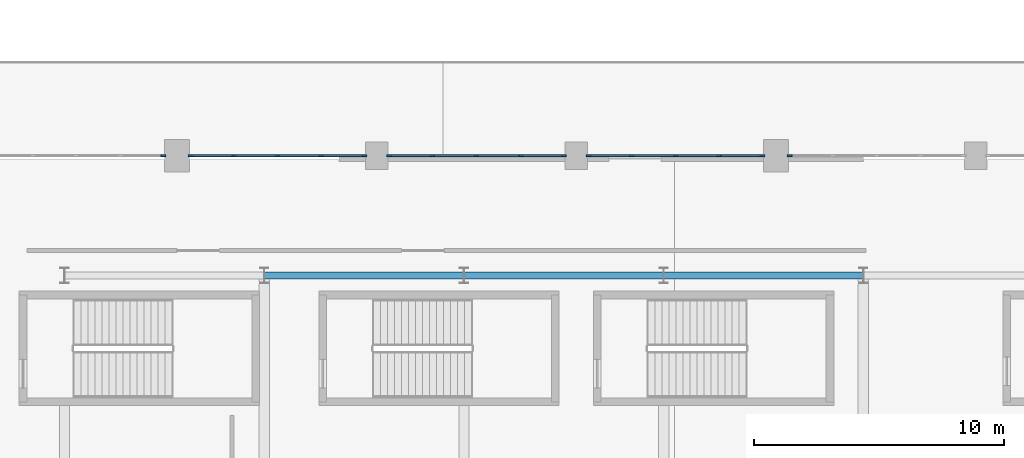
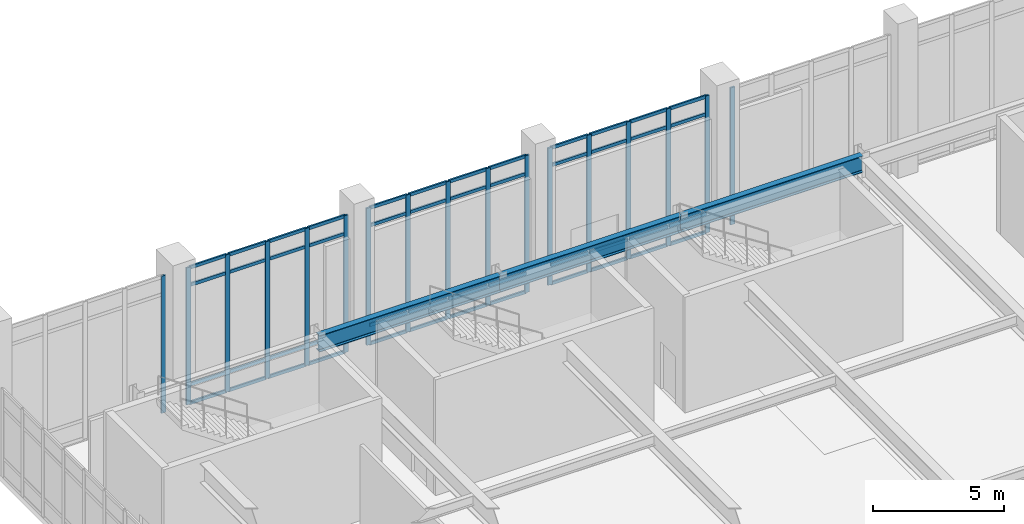
# One storey, part 31 of 84: 65 members, 3 beams, 5 elements without a shape of their own.
"""IFC4 building model written with IfcOpenShell, lengths in metres."""

from ifc_helpers import new_model, si_unit, direction, frame, origin, origin_2d, place, context, subcontext, project, spatial, rectangle, i_section, extrude, material, layer, layer_set, material_profile, profile_set, type_object, element, aggregate, save


model = new_model("IFC4")

# Units and contexts
model_context = context("Model", 3, precision=1e-05, world=origin(), true_north=direction((0.0, 1.0)))
body_context = subcontext(model_context, "Body", "Model", "MODEL_VIEW")
ifc_project = project(units=[si_unit("LENGTHUNIT", "METRE"), si_unit("AREAUNIT", "SQUARE_METRE"), si_unit("VOLUMEUNIT", "CUBIC_METRE"), si_unit("PLANEANGLEUNIT", "RADIAN"), si_unit("MASSUNIT", "GRAM", prefix="KILO")], contexts=[model_context])

# Site, building, storey
site_placement = place(None, origin())
site = spatial("IfcSite", under=ifc_project, at=site_placement, CompositionType="ELEMENT")
building_placement = place(site_placement, origin())
building = spatial("IfcBuilding", under=site, at=building_placement, Name="Tlacozan Convention Centre", CompositionType="ELEMENT")
storey_placement = place(building_placement, frame((0.0, 0.0, 6.0)))
storey = spatial("IfcBuildingStorey", under=building, at=storey_placement, Name="L01", CompositionType="ELEMENT", Elevation=6.0)

# Curtain wall, member
ifc_material_1 = material(Name="Dark Bronze Anodised Aluminium", Category="aluminium")
ifc_layer = layer(ifc_material_1, 0.199951171875)
ifc_layer_set = layer_set([ifc_layer], Name="Dark Bronze Anodised Aluminium")
curtain_wall_type = type_object("IfcCurtainWallType", Name="Exhibition Clerestory Curtain Wall CW10", PredefinedType="NOTDEFINED", material=ifc_layer_set)
curtain_wall_1_placement = place(storey_placement, origin())
curtain_wall_1 = element("IfcCurtainWall", 1, at=curtain_wall_1_placement, inside=storey, type_object=curtain_wall_type, Name="L01 CW-10 Run 20", PredefinedType="NOTDEFINED")
ifc_material_profile_1 = material_profile(ifc_material_1, rectangle(XDim=0.074951171875, YDim=0.199951171875, at=origin_2d()), Name="ALU 75x200")
ifc_profile_set_1 = profile_set([ifc_material_profile_1], Name="Dark Bronze Anodised Aluminium")
member_type_1 = type_object("IfcMemberType", Name="Curtain Wall Heavy Mullion 75x200", PredefinedType="MULLION", material=ifc_profile_set_1)
member_1_placement = place(storey_placement, frame((95.447509765625, 62.0, 0.0), z_axis=(0.0, 0.0, 1.0), x_axis=(0.0, 1.0, 0.0)))
member_1 = element("IfcMember", 2, at=member_1_placement, type_object=member_type_1, Name="CW-10 mullion 5", PredefinedType="MULLION", context=body_context, shape_type="SweptSolid", body=[
    extrude(rectangle(XDim=0.074951171875, YDim=0.199951171875, at=origin_2d()), origin(), (0.0, 0.0, 1.0), 6.39990234375),
])
aggregate(curtain_wall_1, [member_1])

# Curtain wall, members
curtain_wall_2_placement = place(storey_placement, origin())
curtain_wall_2 = element("IfcCurtainWall", 3, at=curtain_wall_2_placement, inside=storey, type_object=curtain_wall_type, Name="L01 CW-10 Run 21", PredefinedType="NOTDEFINED")
member_2_placement = place(storey_placement, frame((96.552490234375, 62.0, 0.0), z_axis=(0.0, 0.0, 1.0), x_axis=(0.0, 1.0, 0.0)))
member_2 = element("IfcMember", 4, at=member_2_placement, type_object=member_type_1, Name="CW-10 mullion 1", PredefinedType="MULLION", context=body_context, shape_type="SweptSolid", body=[
    extrude(rectangle(XDim=0.074951171875, YDim=0.199951171875, at=origin_2d()), origin(), (0.0, 0.0, 1.0), 6.39990234375),
])
member_3_placement = place(storey_placement, frame((98.27001953125, 62.0, 0.0), z_axis=(0.0, 0.0, 1.0), x_axis=(0.0, 1.0, 0.0)))
member_3 = element("IfcMember", 5, at=member_3_placement, type_object=member_type_1, Name="CW-10 mullion 2", PredefinedType="MULLION", context=body_context, shape_type="SweptSolid", body=[
    extrude(rectangle(XDim=0.074951171875, YDim=0.199951171875, at=origin_2d()), origin(), (0.0, 0.0, 1.0), 6.39990234375),
])
member_4_placement = place(storey_placement, frame((100.02490234375, 62.0, 0.0), z_axis=(0.0, 0.0, 1.0), x_axis=(0.0, 1.0, 0.0)))
member_4 = element("IfcMember", 6, at=member_4_placement, type_object=member_type_1, Name="CW-10 mullion 3", PredefinedType="MULLION", context=body_context, shape_type="SweptSolid", body=[
    extrude(rectangle(XDim=0.074951171875, YDim=0.199951171875, at=origin_2d()), origin(), (0.0, 0.0, 1.0), 6.39990234375),
])
member_5_placement = place(storey_placement, frame((101.780029296875, 62.0, 0.0), z_axis=(0.0, 0.0, 1.0), x_axis=(0.0, 1.0, 0.0)))
member_5 = element("IfcMember", 7, at=member_5_placement, type_object=member_type_1, Name="CW-10 mullion 4", PredefinedType="MULLION", context=body_context, shape_type="SweptSolid", body=[
    extrude(rectangle(XDim=0.074951171875, YDim=0.199951171875, at=origin_2d()), origin(), (0.0, 0.0, 1.0), 6.39990234375),
])
member_6_placement = place(storey_placement, frame((103.49755859375, 62.0, 0.0), z_axis=(0.0, 0.0, 1.0), x_axis=(0.0, 1.0, 0.0)))
member_6 = element("IfcMember", 8, at=member_6_placement, type_object=member_type_1, Name="CW-10 mullion 5", PredefinedType="MULLION", context=body_context, shape_type="SweptSolid", body=[
    extrude(rectangle(XDim=0.074951171875, YDim=0.199951171875, at=origin_2d()), origin(), (0.0, 0.0, 1.0), 6.39990234375),
])

curtain_wall_3_placement = place(storey_placement, origin())
curtain_wall_3 = element("IfcCurtainWall", 9, at=curtain_wall_3_placement, inside=storey, type_object=curtain_wall_type, Name="L01 CW-10 Run 22", PredefinedType="NOTDEFINED")
member_7_placement = place(storey_placement, frame((104.50244140625, 62.0, 0.0), z_axis=(0.0, 0.0, 1.0), x_axis=(0.0, 1.0, 0.0)))
member_7 = element("IfcMember", 10, at=member_7_placement, type_object=member_type_1, Name="CW-10 mullion 1", PredefinedType="MULLION", context=body_context, shape_type="SweptSolid", body=[
    extrude(rectangle(XDim=0.074951171875, YDim=0.199951171875, at=origin_2d()), origin(), (0.0, 0.0, 1.0), 6.39990234375),
])
member_8_placement = place(storey_placement, frame((106.232421875, 62.0, 0.0), z_axis=(0.0, 0.0, 1.0), x_axis=(0.0, 1.0, 0.0)))
member_8 = element("IfcMember", 11, at=member_8_placement, type_object=member_type_1, Name="CW-10 mullion 2", PredefinedType="MULLION", context=body_context, shape_type="SweptSolid", body=[
    extrude(rectangle(XDim=0.074951171875, YDim=0.199951171875, at=origin_2d()), origin(), (0.0, 0.0, 1.0), 6.39990234375),
])
member_9_placement = place(storey_placement, frame((108.0, 62.0, 0.0), z_axis=(0.0, 0.0, 1.0), x_axis=(0.0, 1.0, 0.0)))
member_9 = element("IfcMember", 12, at=member_9_placement, type_object=member_type_1, Name="CW-10 mullion 3", PredefinedType="MULLION", context=body_context, shape_type="SweptSolid", body=[
    extrude(rectangle(XDim=0.074951171875, YDim=0.199951171875, at=origin_2d()), origin(), (0.0, 0.0, 1.0), 6.39990234375),
])
member_10_placement = place(storey_placement, frame((109.767578125, 62.0, 0.0), z_axis=(0.0, 0.0, 1.0), x_axis=(0.0, 1.0, 0.0)))
member_10 = element("IfcMember", 13, at=member_10_placement, type_object=member_type_1, Name="CW-10 mullion 4", PredefinedType="MULLION", context=body_context, shape_type="SweptSolid", body=[
    extrude(rectangle(XDim=0.074951171875, YDim=0.199951171875, at=origin_2d()), origin(), (0.0, 0.0, 1.0), 6.39990234375),
])
member_11_placement = place(storey_placement, frame((111.49755859375, 62.0, 0.0), z_axis=(0.0, 0.0, 1.0), x_axis=(0.0, 1.0, 0.0)))
member_11 = element("IfcMember", 14, at=member_11_placement, type_object=member_type_1, Name="CW-10 mullion 5", PredefinedType="MULLION", context=body_context, shape_type="SweptSolid", body=[
    extrude(rectangle(XDim=0.074951171875, YDim=0.199951171875, at=origin_2d()), origin(), (0.0, 0.0, 1.0), 6.39990234375),
])

curtain_wall_4_placement = place(storey_placement, origin())
curtain_wall_4 = element("IfcCurtainWall", 15, at=curtain_wall_4_placement, inside=storey, type_object=curtain_wall_type, Name="L01 CW-10 Run 23", PredefinedType="NOTDEFINED")
member_12_placement = place(storey_placement, frame((112.50244140625, 62.0, 0.0), z_axis=(0.0, 0.0, 1.0), x_axis=(0.0, 1.0, 0.0)))
member_12 = element("IfcMember", 16, at=member_12_placement, type_object=member_type_1, Name="CW-10 mullion 1", PredefinedType="MULLION", context=body_context, shape_type="SweptSolid", body=[
    extrude(rectangle(XDim=0.074951171875, YDim=0.199951171875, at=origin_2d()), origin(), (0.0, 0.0, 1.0), 6.39990234375),
])
member_13_placement = place(storey_placement, frame((114.219970703125, 62.0, 0.0), z_axis=(0.0, 0.0, 1.0), x_axis=(0.0, 1.0, 0.0)))
member_13 = element("IfcMember", 17, at=member_13_placement, type_object=member_type_1, Name="CW-10 mullion 2", PredefinedType="MULLION", context=body_context, shape_type="SweptSolid", body=[
    extrude(rectangle(XDim=0.074951171875, YDim=0.199951171875, at=origin_2d()), origin(), (0.0, 0.0, 1.0), 6.39990234375),
])
member_14_placement = place(storey_placement, frame((115.97509765625, 62.0, 0.0), z_axis=(0.0, 0.0, 1.0), x_axis=(0.0, 1.0, 0.0)))
member_14 = element("IfcMember", 18, at=member_14_placement, type_object=member_type_1, Name="CW-10 mullion 3", PredefinedType="MULLION", context=body_context, shape_type="SweptSolid", body=[
    extrude(rectangle(XDim=0.074951171875, YDim=0.199951171875, at=origin_2d()), origin(), (0.0, 0.0, 1.0), 6.39990234375),
])
member_15_placement = place(storey_placement, frame((117.72998046875, 62.0, 0.0), z_axis=(0.0, 0.0, 1.0), x_axis=(0.0, 1.0, 0.0)))
member_15 = element("IfcMember", 19, at=member_15_placement, type_object=member_type_1, Name="CW-10 mullion 4", PredefinedType="MULLION", context=body_context, shape_type="SweptSolid", body=[
    extrude(rectangle(XDim=0.074951171875, YDim=0.199951171875, at=origin_2d()), origin(), (0.0, 0.0, 1.0), 6.39990234375),
])
member_16_placement = place(storey_placement, frame((119.447509765625, 62.0, 0.0), z_axis=(0.0, 0.0, 1.0), x_axis=(0.0, 1.0, 0.0)))
member_16 = element("IfcMember", 20, at=member_16_placement, type_object=member_type_1, Name="CW-10 mullion 5", PredefinedType="MULLION", context=body_context, shape_type="SweptSolid", body=[
    extrude(rectangle(XDim=0.074951171875, YDim=0.199951171875, at=origin_2d()), origin(), (0.0, 0.0, 1.0), 6.39990234375),
])

# Curtain wall, member
curtain_wall_5_placement = place(storey_placement, origin())
curtain_wall_5 = element("IfcCurtainWall", 21, at=curtain_wall_5_placement, inside=storey, type_object=curtain_wall_type, Name="L01 CW-10 Run 24", PredefinedType="NOTDEFINED")
member_17_placement = place(storey_placement, frame((120.552490234375, 62.0, 0.0), z_axis=(0.0, 0.0, 1.0), x_axis=(0.0, 1.0, 0.0)))
member_17 = element("IfcMember", 22, at=member_17_placement, type_object=member_type_1, Name="CW-10 mullion 1", PredefinedType="MULLION", context=body_context, shape_type="SweptSolid", body=[
    extrude(rectangle(XDim=0.074951171875, YDim=0.199951171875, at=origin_2d()), origin(), (0.0, 0.0, 1.0), 6.39990234375),
])
aggregate(curtain_wall_5, [member_17])

# Member
ifc_material_profile_2 = material_profile(ifc_material_1, rectangle(XDim=0.074951171875, YDim=0.14990234375, at=origin_2d()), Name="ALU 75x150")
ifc_profile_set_2 = profile_set([ifc_material_profile_2], Name="Dark Bronze Anodised Aluminium")
member_type_2 = type_object("IfcMemberType", Name="Curtain Wall Heavy Transom 75x150", PredefinedType="USERDEFINED", material=ifc_profile_set_2)
member_18_placement = place(storey_placement, frame((96.590087890625, 62.0, 0.03759765625), z_axis=(1.0, 0.0, 0.0), x_axis=(0.0, 1.0, 0.0)))
member_18 = element("IfcMember", 23, at=member_18_placement, type_object=member_type_2, Name="CW-10 transom 1.1", ObjectType="TRANSOM", PredefinedType="USERDEFINED", context=body_context, shape_type="SweptSolid", body=[
    extrude(rectangle(XDim=0.074951171875, YDim=0.14990234375, at=origin_2d()), origin(), (0.0, 0.0, 1.0), 1.642333984375),
])

member_19_placement = place(storey_placement, frame((96.590087890625, 62.0, 0.89990234375), z_axis=(1.0, 0.0, 0.0), x_axis=(0.0, 1.0, 0.0)))
member_19 = element("IfcMember", 24, at=member_19_placement, type_object=member_type_2, Name="CW-10 transom 1.2", ObjectType="TRANSOM", PredefinedType="USERDEFINED", context=body_context, shape_type="SweptSolid", body=[
    extrude(rectangle(XDim=0.074951171875, YDim=0.14990234375, at=origin_2d()), origin(), (0.0, 0.0, 1.0), 1.642333984375),
])

member_20_placement = place(storey_placement, frame((96.590087890625, 62.0, 5.550048828125), z_axis=(1.0, 0.0, 0.0), x_axis=(0.0, 1.0, 0.0)))
member_20 = element("IfcMember", 25, at=member_20_placement, type_object=member_type_2, Name="CW-10 transom 1.3", ObjectType="TRANSOM", PredefinedType="USERDEFINED", context=body_context, shape_type="SweptSolid", body=[
    extrude(rectangle(XDim=0.074951171875, YDim=0.14990234375, at=origin_2d()), origin(), (0.0, 0.0, 1.0), 1.642333984375),
])

member_21_placement = place(storey_placement, frame((96.590087890625, 62.0, 6.362548828125), z_axis=(1.0, 0.0, 0.0), x_axis=(0.0, 1.0, 0.0)))
member_21 = element("IfcMember", 26, at=member_21_placement, type_object=member_type_2, Name="CW-10 transom 1.4", ObjectType="TRANSOM", PredefinedType="USERDEFINED", context=body_context, shape_type="SweptSolid", body=[
    extrude(rectangle(XDim=0.074951171875, YDim=0.14990234375, at=origin_2d()), origin(), (0.0, 0.0, 1.0), 1.642333984375),
])

member_22_placement = place(storey_placement, frame((98.3076171875, 62.0, 0.03759765625), z_axis=(1.0, 0.0, 0.0), x_axis=(0.0, 1.0, 0.0)))
member_22 = element("IfcMember", 27, at=member_22_placement, type_object=member_type_2, Name="CW-10 transom 2.1", ObjectType="TRANSOM", PredefinedType="USERDEFINED", context=body_context, shape_type="SweptSolid", body=[
    extrude(rectangle(XDim=0.074951171875, YDim=0.14990234375, at=origin_2d()), origin(), (0.0, 0.0, 1.0), 1.679931640625),
])

member_23_placement = place(storey_placement, frame((98.3076171875, 62.0, 0.89990234375), z_axis=(1.0, 0.0, 0.0), x_axis=(0.0, 1.0, 0.0)))
member_23 = element("IfcMember", 28, at=member_23_placement, type_object=member_type_2, Name="CW-10 transom 2.2", ObjectType="TRANSOM", PredefinedType="USERDEFINED", context=body_context, shape_type="SweptSolid", body=[
    extrude(rectangle(XDim=0.074951171875, YDim=0.14990234375, at=origin_2d()), origin(), (0.0, 0.0, 1.0), 1.679931640625),
])

member_24_placement = place(storey_placement, frame((98.3076171875, 62.0, 5.550048828125), z_axis=(1.0, 0.0, 0.0), x_axis=(0.0, 1.0, 0.0)))
member_24 = element("IfcMember", 29, at=member_24_placement, type_object=member_type_2, Name="CW-10 transom 2.3", ObjectType="TRANSOM", PredefinedType="USERDEFINED", context=body_context, shape_type="SweptSolid", body=[
    extrude(rectangle(XDim=0.074951171875, YDim=0.14990234375, at=origin_2d()), origin(), (0.0, 0.0, 1.0), 1.679931640625),
])

member_25_placement = place(storey_placement, frame((98.3076171875, 62.0, 6.362548828125), z_axis=(1.0, 0.0, 0.0), x_axis=(0.0, 1.0, 0.0)))
member_25 = element("IfcMember", 30, at=member_25_placement, type_object=member_type_2, Name="CW-10 transom 2.4", ObjectType="TRANSOM", PredefinedType="USERDEFINED", context=body_context, shape_type="SweptSolid", body=[
    extrude(rectangle(XDim=0.074951171875, YDim=0.14990234375, at=origin_2d()), origin(), (0.0, 0.0, 1.0), 1.679931640625),
])

member_26_placement = place(storey_placement, frame((100.0625, 62.0, 0.03759765625), z_axis=(1.0, 0.0, 0.0), x_axis=(0.0, 1.0, 0.0)))
member_26 = element("IfcMember", 31, at=member_26_placement, type_object=member_type_2, Name="CW-10 transom 3.1", ObjectType="TRANSOM", PredefinedType="USERDEFINED", context=body_context, shape_type="SweptSolid", body=[
    extrude(rectangle(XDim=0.074951171875, YDim=0.14990234375, at=origin_2d()), origin(), (0.0, 0.0, 1.0), 1.679931640625),
])

member_27_placement = place(storey_placement, frame((100.0625, 62.0, 0.89990234375), z_axis=(1.0, 0.0, 0.0), x_axis=(0.0, 1.0, 0.0)))
member_27 = element("IfcMember", 32, at=member_27_placement, type_object=member_type_2, Name="CW-10 transom 3.2", ObjectType="TRANSOM", PredefinedType="USERDEFINED", context=body_context, shape_type="SweptSolid", body=[
    extrude(rectangle(XDim=0.074951171875, YDim=0.14990234375, at=origin_2d()), origin(), (0.0, 0.0, 1.0), 1.679931640625),
])

member_28_placement = place(storey_placement, frame((100.0625, 62.0, 5.550048828125), z_axis=(1.0, 0.0, 0.0), x_axis=(0.0, 1.0, 0.0)))
member_28 = element("IfcMember", 33, at=member_28_placement, type_object=member_type_2, Name="CW-10 transom 3.3", ObjectType="TRANSOM", PredefinedType="USERDEFINED", context=body_context, shape_type="SweptSolid", body=[
    extrude(rectangle(XDim=0.074951171875, YDim=0.14990234375, at=origin_2d()), origin(), (0.0, 0.0, 1.0), 1.679931640625),
])

member_29_placement = place(storey_placement, frame((100.0625, 62.0, 6.362548828125), z_axis=(1.0, 0.0, 0.0), x_axis=(0.0, 1.0, 0.0)))
member_29 = element("IfcMember", 34, at=member_29_placement, type_object=member_type_2, Name="CW-10 transom 3.4", ObjectType="TRANSOM", PredefinedType="USERDEFINED", context=body_context, shape_type="SweptSolid", body=[
    extrude(rectangle(XDim=0.074951171875, YDim=0.14990234375, at=origin_2d()), origin(), (0.0, 0.0, 1.0), 1.679931640625),
])

member_30_placement = place(storey_placement, frame((101.8173828125, 62.0, 0.03759765625), z_axis=(1.0, 0.0, 0.0), x_axis=(0.0, 1.0, 0.0)))
member_30 = element("IfcMember", 35, at=member_30_placement, type_object=member_type_2, Name="CW-10 transom 4.1", ObjectType="TRANSOM", PredefinedType="USERDEFINED", context=body_context, shape_type="SweptSolid", body=[
    extrude(rectangle(XDim=0.074951171875, YDim=0.14990234375, at=origin_2d()), origin(), (0.0, 0.0, 1.0), 1.642578125),
])

member_31_placement = place(storey_placement, frame((101.8173828125, 62.0, 0.89990234375), z_axis=(1.0, 0.0, 0.0), x_axis=(0.0, 1.0, 0.0)))
member_31 = element("IfcMember", 36, at=member_31_placement, type_object=member_type_2, Name="CW-10 transom 4.2", ObjectType="TRANSOM", PredefinedType="USERDEFINED", context=body_context, shape_type="SweptSolid", body=[
    extrude(rectangle(XDim=0.074951171875, YDim=0.14990234375, at=origin_2d()), origin(), (0.0, 0.0, 1.0), 1.642578125),
])

member_32_placement = place(storey_placement, frame((101.8173828125, 62.0, 5.550048828125), z_axis=(1.0, 0.0, 0.0), x_axis=(0.0, 1.0, 0.0)))
member_32 = element("IfcMember", 37, at=member_32_placement, type_object=member_type_2, Name="CW-10 transom 4.3", ObjectType="TRANSOM", PredefinedType="USERDEFINED", context=body_context, shape_type="SweptSolid", body=[
    extrude(rectangle(XDim=0.074951171875, YDim=0.14990234375, at=origin_2d()), origin(), (0.0, 0.0, 1.0), 1.642578125),
])

member_33_placement = place(storey_placement, frame((101.8173828125, 62.0, 6.362548828125), z_axis=(1.0, 0.0, 0.0), x_axis=(0.0, 1.0, 0.0)))
member_33 = element("IfcMember", 38, at=member_33_placement, type_object=member_type_2, Name="CW-10 transom 4.4", ObjectType="TRANSOM", PredefinedType="USERDEFINED", context=body_context, shape_type="SweptSolid", body=[
    extrude(rectangle(XDim=0.074951171875, YDim=0.14990234375, at=origin_2d()), origin(), (0.0, 0.0, 1.0), 1.642578125),
])

aggregate(curtain_wall_2, [member_2, member_3, member_4, member_5, member_6, member_18, member_19, member_20, member_21, member_22, member_23, member_24, member_25, member_26, member_27, member_28, member_29, member_30, member_31, member_32, member_33])

member_34_placement = place(storey_placement, frame((104.5400390625, 62.0, 0.03759765625), z_axis=(1.0, 0.0, 0.0), x_axis=(0.0, 1.0, 0.0)))
member_34 = element("IfcMember", 39, at=member_34_placement, type_object=member_type_2, Name="CW-10 transom 1.1", ObjectType="TRANSOM", PredefinedType="USERDEFINED", context=body_context, shape_type="SweptSolid", body=[
    extrude(rectangle(XDim=0.074951171875, YDim=0.14990234375, at=origin_2d()), origin(), (0.0, 0.0, 1.0), 1.655029296875),
])

member_35_placement = place(storey_placement, frame((104.5400390625, 62.0, 0.89990234375), z_axis=(1.0, 0.0, 0.0), x_axis=(0.0, 1.0, 0.0)))
member_35 = element("IfcMember", 40, at=member_35_placement, type_object=member_type_2, Name="CW-10 transom 1.2", ObjectType="TRANSOM", PredefinedType="USERDEFINED", context=body_context, shape_type="SweptSolid", body=[
    extrude(rectangle(XDim=0.074951171875, YDim=0.14990234375, at=origin_2d()), origin(), (0.0, 0.0, 1.0), 1.655029296875),
])

member_36_placement = place(storey_placement, frame((104.5400390625, 62.0, 5.550048828125), z_axis=(1.0, 0.0, 0.0), x_axis=(0.0, 1.0, 0.0)))
member_36 = element("IfcMember", 41, at=member_36_placement, type_object=member_type_2, Name="CW-10 transom 1.3", ObjectType="TRANSOM", PredefinedType="USERDEFINED", context=body_context, shape_type="SweptSolid", body=[
    extrude(rectangle(XDim=0.074951171875, YDim=0.14990234375, at=origin_2d()), origin(), (0.0, 0.0, 1.0), 1.655029296875),
])

member_37_placement = place(storey_placement, frame((104.5400390625, 62.0, 6.362548828125), z_axis=(1.0, 0.0, 0.0), x_axis=(0.0, 1.0, 0.0)))
member_37 = element("IfcMember", 42, at=member_37_placement, type_object=member_type_2, Name="CW-10 transom 1.4", ObjectType="TRANSOM", PredefinedType="USERDEFINED", context=body_context, shape_type="SweptSolid", body=[
    extrude(rectangle(XDim=0.074951171875, YDim=0.14990234375, at=origin_2d()), origin(), (0.0, 0.0, 1.0), 1.655029296875),
])

member_38_placement = place(storey_placement, frame((106.27001953125, 62.0, 0.03759765625), z_axis=(1.0, 0.0, 0.0), x_axis=(0.0, 1.0, 0.0)))
member_38 = element("IfcMember", 43, at=member_38_placement, type_object=member_type_2, Name="CW-10 transom 2.1", ObjectType="TRANSOM", PredefinedType="USERDEFINED", context=body_context, shape_type="SweptSolid", body=[
    extrude(rectangle(XDim=0.074951171875, YDim=0.14990234375, at=origin_2d()), origin(), (0.0, 0.0, 1.0), 1.6923828125),
])

member_39_placement = place(storey_placement, frame((106.27001953125, 62.0, 0.89990234375), z_axis=(1.0, 0.0, 0.0), x_axis=(0.0, 1.0, 0.0)))
member_39 = element("IfcMember", 44, at=member_39_placement, type_object=member_type_2, Name="CW-10 transom 2.2", ObjectType="TRANSOM", PredefinedType="USERDEFINED", context=body_context, shape_type="SweptSolid", body=[
    extrude(rectangle(XDim=0.074951171875, YDim=0.14990234375, at=origin_2d()), origin(), (0.0, 0.0, 1.0), 1.6923828125),
])

member_40_placement = place(storey_placement, frame((106.27001953125, 62.0, 5.550048828125), z_axis=(1.0, 0.0, 0.0), x_axis=(0.0, 1.0, 0.0)))
member_40 = element("IfcMember", 45, at=member_40_placement, type_object=member_type_2, Name="CW-10 transom 2.3", ObjectType="TRANSOM", PredefinedType="USERDEFINED", context=body_context, shape_type="SweptSolid", body=[
    extrude(rectangle(XDim=0.074951171875, YDim=0.14990234375, at=origin_2d()), origin(), (0.0, 0.0, 1.0), 1.6923828125),
])

member_41_placement = place(storey_placement, frame((106.27001953125, 62.0, 6.362548828125), z_axis=(1.0, 0.0, 0.0), x_axis=(0.0, 1.0, 0.0)))
member_41 = element("IfcMember", 46, at=member_41_placement, type_object=member_type_2, Name="CW-10 transom 2.4", ObjectType="TRANSOM", PredefinedType="USERDEFINED", context=body_context, shape_type="SweptSolid", body=[
    extrude(rectangle(XDim=0.074951171875, YDim=0.14990234375, at=origin_2d()), origin(), (0.0, 0.0, 1.0), 1.6923828125),
])

member_42_placement = place(storey_placement, frame((108.03759765625, 62.0, 0.03759765625), z_axis=(1.0, 0.0, 0.0), x_axis=(0.0, 1.0, 0.0)))
member_42 = element("IfcMember", 47, at=member_42_placement, type_object=member_type_2, Name="CW-10 transom 3.1", ObjectType="TRANSOM", PredefinedType="USERDEFINED", context=body_context, shape_type="SweptSolid", body=[
    extrude(rectangle(XDim=0.074951171875, YDim=0.14990234375, at=origin_2d()), origin(), (0.0, 0.0, 1.0), 1.6923828125),
])

member_43_placement = place(storey_placement, frame((108.03759765625, 62.0, 0.89990234375), z_axis=(1.0, 0.0, 0.0), x_axis=(0.0, 1.0, 0.0)))
member_43 = element("IfcMember", 48, at=member_43_placement, type_object=member_type_2, Name="CW-10 transom 3.2", ObjectType="TRANSOM", PredefinedType="USERDEFINED", context=body_context, shape_type="SweptSolid", body=[
    extrude(rectangle(XDim=0.074951171875, YDim=0.14990234375, at=origin_2d()), origin(), (0.0, 0.0, 1.0), 1.6923828125),
])

member_44_placement = place(storey_placement, frame((108.03759765625, 62.0, 5.550048828125), z_axis=(1.0, 0.0, 0.0), x_axis=(0.0, 1.0, 0.0)))
member_44 = element("IfcMember", 49, at=member_44_placement, type_object=member_type_2, Name="CW-10 transom 3.3", ObjectType="TRANSOM", PredefinedType="USERDEFINED", context=body_context, shape_type="SweptSolid", body=[
    extrude(rectangle(XDim=0.074951171875, YDim=0.14990234375, at=origin_2d()), origin(), (0.0, 0.0, 1.0), 1.6923828125),
])

member_45_placement = place(storey_placement, frame((108.03759765625, 62.0, 6.362548828125), z_axis=(1.0, 0.0, 0.0), x_axis=(0.0, 1.0, 0.0)))
member_45 = element("IfcMember", 50, at=member_45_placement, type_object=member_type_2, Name="CW-10 transom 3.4", ObjectType="TRANSOM", PredefinedType="USERDEFINED", context=body_context, shape_type="SweptSolid", body=[
    extrude(rectangle(XDim=0.074951171875, YDim=0.14990234375, at=origin_2d()), origin(), (0.0, 0.0, 1.0), 1.6923828125),
])

member_46_placement = place(storey_placement, frame((109.804931640625, 62.0, 0.03759765625), z_axis=(1.0, 0.0, 0.0), x_axis=(0.0, 1.0, 0.0)))
member_46 = element("IfcMember", 51, at=member_46_placement, type_object=member_type_2, Name="CW-10 transom 4.1", ObjectType="TRANSOM", PredefinedType="USERDEFINED", context=body_context, shape_type="SweptSolid", body=[
    extrude(rectangle(XDim=0.074951171875, YDim=0.14990234375, at=origin_2d()), origin(), (0.0, 0.0, 1.0), 1.655029296875),
])

member_47_placement = place(storey_placement, frame((109.804931640625, 62.0, 0.89990234375), z_axis=(1.0, 0.0, 0.0), x_axis=(0.0, 1.0, 0.0)))
member_47 = element("IfcMember", 52, at=member_47_placement, type_object=member_type_2, Name="CW-10 transom 4.2", ObjectType="TRANSOM", PredefinedType="USERDEFINED", context=body_context, shape_type="SweptSolid", body=[
    extrude(rectangle(XDim=0.074951171875, YDim=0.14990234375, at=origin_2d()), origin(), (0.0, 0.0, 1.0), 1.655029296875),
])

member_48_placement = place(storey_placement, frame((109.804931640625, 62.0, 5.550048828125), z_axis=(1.0, 0.0, 0.0), x_axis=(0.0, 1.0, 0.0)))
member_48 = element("IfcMember", 53, at=member_48_placement, type_object=member_type_2, Name="CW-10 transom 4.3", ObjectType="TRANSOM", PredefinedType="USERDEFINED", context=body_context, shape_type="SweptSolid", body=[
    extrude(rectangle(XDim=0.074951171875, YDim=0.14990234375, at=origin_2d()), origin(), (0.0, 0.0, 1.0), 1.655029296875),
])

member_49_placement = place(storey_placement, frame((109.804931640625, 62.0, 6.362548828125), z_axis=(1.0, 0.0, 0.0), x_axis=(0.0, 1.0, 0.0)))
member_49 = element("IfcMember", 54, at=member_49_placement, type_object=member_type_2, Name="CW-10 transom 4.4", ObjectType="TRANSOM", PredefinedType="USERDEFINED", context=body_context, shape_type="SweptSolid", body=[
    extrude(rectangle(XDim=0.074951171875, YDim=0.14990234375, at=origin_2d()), origin(), (0.0, 0.0, 1.0), 1.655029296875),
])

aggregate(curtain_wall_3, [member_7, member_8, member_9, member_10, member_11, member_34, member_35, member_36, member_37, member_38, member_39, member_40, member_41, member_42, member_43, member_44, member_45, member_46, member_47, member_48, member_49])

member_50_placement = place(storey_placement, frame((112.5400390625, 62.0, 0.03759765625), z_axis=(1.0, 0.0, 0.0), x_axis=(0.0, 1.0, 0.0)))
member_50 = element("IfcMember", 55, at=member_50_placement, type_object=member_type_2, Name="CW-10 transom 1.1", ObjectType="TRANSOM", PredefinedType="USERDEFINED", context=body_context, shape_type="SweptSolid", body=[
    extrude(rectangle(XDim=0.074951171875, YDim=0.14990234375, at=origin_2d()), origin(), (0.0, 0.0, 1.0), 1.642578125),
])

member_51_placement = place(storey_placement, frame((112.5400390625, 62.0, 0.89990234375), z_axis=(1.0, 0.0, 0.0), x_axis=(0.0, 1.0, 0.0)))
member_51 = element("IfcMember", 56, at=member_51_placement, type_object=member_type_2, Name="CW-10 transom 1.2", ObjectType="TRANSOM", PredefinedType="USERDEFINED", context=body_context, shape_type="SweptSolid", body=[
    extrude(rectangle(XDim=0.074951171875, YDim=0.14990234375, at=origin_2d()), origin(), (0.0, 0.0, 1.0), 1.642578125),
])

member_52_placement = place(storey_placement, frame((112.5400390625, 62.0, 5.550048828125), z_axis=(1.0, 0.0, 0.0), x_axis=(0.0, 1.0, 0.0)))
member_52 = element("IfcMember", 57, at=member_52_placement, type_object=member_type_2, Name="CW-10 transom 1.3", ObjectType="TRANSOM", PredefinedType="USERDEFINED", context=body_context, shape_type="SweptSolid", body=[
    extrude(rectangle(XDim=0.074951171875, YDim=0.14990234375, at=origin_2d()), origin(), (0.0, 0.0, 1.0), 1.642578125),
])

member_53_placement = place(storey_placement, frame((112.5400390625, 62.0, 6.362548828125), z_axis=(1.0, 0.0, 0.0), x_axis=(0.0, 1.0, 0.0)))
member_53 = element("IfcMember", 58, at=member_53_placement, type_object=member_type_2, Name="CW-10 transom 1.4", ObjectType="TRANSOM", PredefinedType="USERDEFINED", context=body_context, shape_type="SweptSolid", body=[
    extrude(rectangle(XDim=0.074951171875, YDim=0.14990234375, at=origin_2d()), origin(), (0.0, 0.0, 1.0), 1.642578125),
])

member_54_placement = place(storey_placement, frame((114.257568359375, 62.0, 0.03759765625), z_axis=(1.0, 0.0, 0.0), x_axis=(0.0, 1.0, 0.0)))
member_54 = element("IfcMember", 59, at=member_54_placement, type_object=member_type_2, Name="CW-10 transom 2.1", ObjectType="TRANSOM", PredefinedType="USERDEFINED", context=body_context, shape_type="SweptSolid", body=[
    extrude(rectangle(XDim=0.074951171875, YDim=0.14990234375, at=origin_2d()), origin(), (0.0, 0.0, 1.0), 1.679931640625),
])

member_55_placement = place(storey_placement, frame((114.257568359375, 62.0, 0.89990234375), z_axis=(1.0, 0.0, 0.0), x_axis=(0.0, 1.0, 0.0)))
member_55 = element("IfcMember", 60, at=member_55_placement, type_object=member_type_2, Name="CW-10 transom 2.2", ObjectType="TRANSOM", PredefinedType="USERDEFINED", context=body_context, shape_type="SweptSolid", body=[
    extrude(rectangle(XDim=0.074951171875, YDim=0.14990234375, at=origin_2d()), origin(), (0.0, 0.0, 1.0), 1.679931640625),
])

member_56_placement = place(storey_placement, frame((114.257568359375, 62.0, 5.550048828125), z_axis=(1.0, 0.0, 0.0), x_axis=(0.0, 1.0, 0.0)))
member_56 = element("IfcMember", 61, at=member_56_placement, type_object=member_type_2, Name="CW-10 transom 2.3", ObjectType="TRANSOM", PredefinedType="USERDEFINED", context=body_context, shape_type="SweptSolid", body=[
    extrude(rectangle(XDim=0.074951171875, YDim=0.14990234375, at=origin_2d()), origin(), (0.0, 0.0, 1.0), 1.679931640625),
])

member_57_placement = place(storey_placement, frame((114.257568359375, 62.0, 6.362548828125), z_axis=(1.0, 0.0, 0.0), x_axis=(0.0, 1.0, 0.0)))
member_57 = element("IfcMember", 62, at=member_57_placement, type_object=member_type_2, Name="CW-10 transom 2.4", ObjectType="TRANSOM", PredefinedType="USERDEFINED", context=body_context, shape_type="SweptSolid", body=[
    extrude(rectangle(XDim=0.074951171875, YDim=0.14990234375, at=origin_2d()), origin(), (0.0, 0.0, 1.0), 1.679931640625),
])

member_58_placement = place(storey_placement, frame((116.012451171875, 62.0, 0.03759765625), z_axis=(1.0, 0.0, 0.0), x_axis=(0.0, 1.0, 0.0)))
member_58 = element("IfcMember", 63, at=member_58_placement, type_object=member_type_2, Name="CW-10 transom 3.1", ObjectType="TRANSOM", PredefinedType="USERDEFINED", context=body_context, shape_type="SweptSolid", body=[
    extrude(rectangle(XDim=0.074951171875, YDim=0.14990234375, at=origin_2d()), origin(), (0.0, 0.0, 1.0), 1.679931640625),
])

member_59_placement = place(storey_placement, frame((116.012451171875, 62.0, 0.89990234375), z_axis=(1.0, 0.0, 0.0), x_axis=(0.0, 1.0, 0.0)))
member_59 = element("IfcMember", 64, at=member_59_placement, type_object=member_type_2, Name="CW-10 transom 3.2", ObjectType="TRANSOM", PredefinedType="USERDEFINED", context=body_context, shape_type="SweptSolid", body=[
    extrude(rectangle(XDim=0.074951171875, YDim=0.14990234375, at=origin_2d()), origin(), (0.0, 0.0, 1.0), 1.679931640625),
])

member_60_placement = place(storey_placement, frame((116.012451171875, 62.0, 5.550048828125), z_axis=(1.0, 0.0, 0.0), x_axis=(0.0, 1.0, 0.0)))
member_60 = element("IfcMember", 65, at=member_60_placement, type_object=member_type_2, Name="CW-10 transom 3.3", ObjectType="TRANSOM", PredefinedType="USERDEFINED", context=body_context, shape_type="SweptSolid", body=[
    extrude(rectangle(XDim=0.074951171875, YDim=0.14990234375, at=origin_2d()), origin(), (0.0, 0.0, 1.0), 1.679931640625),
])

member_61_placement = place(storey_placement, frame((116.012451171875, 62.0, 6.362548828125), z_axis=(1.0, 0.0, 0.0), x_axis=(0.0, 1.0, 0.0)))
member_61 = element("IfcMember", 66, at=member_61_placement, type_object=member_type_2, Name="CW-10 transom 3.4", ObjectType="TRANSOM", PredefinedType="USERDEFINED", context=body_context, shape_type="SweptSolid", body=[
    extrude(rectangle(XDim=0.074951171875, YDim=0.14990234375, at=origin_2d()), origin(), (0.0, 0.0, 1.0), 1.679931640625),
])

member_62_placement = place(storey_placement, frame((117.767578125, 62.0, 0.03759765625), z_axis=(1.0, 0.0, 0.0), x_axis=(0.0, 1.0, 0.0)))
member_62 = element("IfcMember", 67, at=member_62_placement, type_object=member_type_2, Name="CW-10 transom 4.1", ObjectType="TRANSOM", PredefinedType="USERDEFINED", context=body_context, shape_type="SweptSolid", body=[
    extrude(rectangle(XDim=0.074951171875, YDim=0.14990234375, at=origin_2d()), origin(), (0.0, 0.0, 1.0), 1.642333984375),
])

member_63_placement = place(storey_placement, frame((117.767578125, 62.0, 0.89990234375), z_axis=(1.0, 0.0, 0.0), x_axis=(0.0, 1.0, 0.0)))
member_63 = element("IfcMember", 68, at=member_63_placement, type_object=member_type_2, Name="CW-10 transom 4.2", ObjectType="TRANSOM", PredefinedType="USERDEFINED", context=body_context, shape_type="SweptSolid", body=[
    extrude(rectangle(XDim=0.074951171875, YDim=0.14990234375, at=origin_2d()), origin(), (0.0, 0.0, 1.0), 1.642333984375),
])

member_64_placement = place(storey_placement, frame((117.767578125, 62.0, 5.550048828125), z_axis=(1.0, 0.0, 0.0), x_axis=(0.0, 1.0, 0.0)))
member_64 = element("IfcMember", 69, at=member_64_placement, type_object=member_type_2, Name="CW-10 transom 4.3", ObjectType="TRANSOM", PredefinedType="USERDEFINED", context=body_context, shape_type="SweptSolid", body=[
    extrude(rectangle(XDim=0.074951171875, YDim=0.14990234375, at=origin_2d()), origin(), (0.0, 0.0, 1.0), 1.642333984375),
])

member_65_placement = place(storey_placement, frame((117.767578125, 62.0, 6.362548828125), z_axis=(1.0, 0.0, 0.0), x_axis=(0.0, 1.0, 0.0)))
member_65 = element("IfcMember", 70, at=member_65_placement, type_object=member_type_2, Name="CW-10 transom 4.4", ObjectType="TRANSOM", PredefinedType="USERDEFINED", context=body_context, shape_type="SweptSolid", body=[
    extrude(rectangle(XDim=0.074951171875, YDim=0.14990234375, at=origin_2d()), origin(), (0.0, 0.0, 1.0), 1.642333984375),
])

aggregate(curtain_wall_4, [member_12, member_13, member_14, member_15, member_16, member_50, member_51, member_52, member_53, member_54, member_55, member_56, member_57, member_58, member_59, member_60, member_61, member_62, member_63, member_64, member_65])

# Beams
ifc_material_2 = material(Name="Steel ASTM A992 Grade 50", Category="steel")
ifc_material_profile_3 = material_profile(ifc_material_2, i_section(OverallWidth=0.26806640625, OverallDepth=0.77001953125, WebThickness=0.015625, FlangeThickness=0.025390625, FilletRadius=0.01708984375, at=origin_2d()), Name="IR 762x196.0")
ifc_profile_set_3 = profile_set([ifc_material_profile_3], Name="Steel ASTM A992 Grade 50")
beam_type = type_object("IfcBeamType", Name="Girder Steel IR 762x196", PredefinedType="BEAM", material=ifc_profile_set_3)
for number, where, z_axis, x_axis, name in (
    (71, (99.5, 57.199951171875, 4.7548828125), (1.0, 0.0, 0.0), (0.0, 1.0, 0.0), "L01 Girder Steel IR 762x196 1451"),
    (72, (107.5, 57.199951171875, 4.7548828125), (1.0, 0.0, 0.0), (0.0, 1.0, 0.0), "L01 Girder Steel IR 762x196 1455"),
    (73, (115.5, 57.199951171875, 4.7548828125), (1.0, 0.0, 0.0), (0.0, 1.0, 0.0), "L01 Girder Steel IR 762x196 1459"),
):
    element("IfcBeam", number, at=place(storey_placement, frame(where, z_axis=z_axis, x_axis=x_axis)), inside=storey, type_object=beam_type, Name=name, PredefinedType="BEAM", context=body_context, shape_type="SweptSolid", body=[
        extrude(i_section(OverallWidth=0.26806640625, OverallDepth=0.77001953125, WebThickness=0.015625, FlangeThickness=0.025390625, FilletRadius=0.01708984375, at=origin_2d()), origin(), (0.0, 0.0, 1.0), 8.0),
    ])

save(model, "model.ifc")
